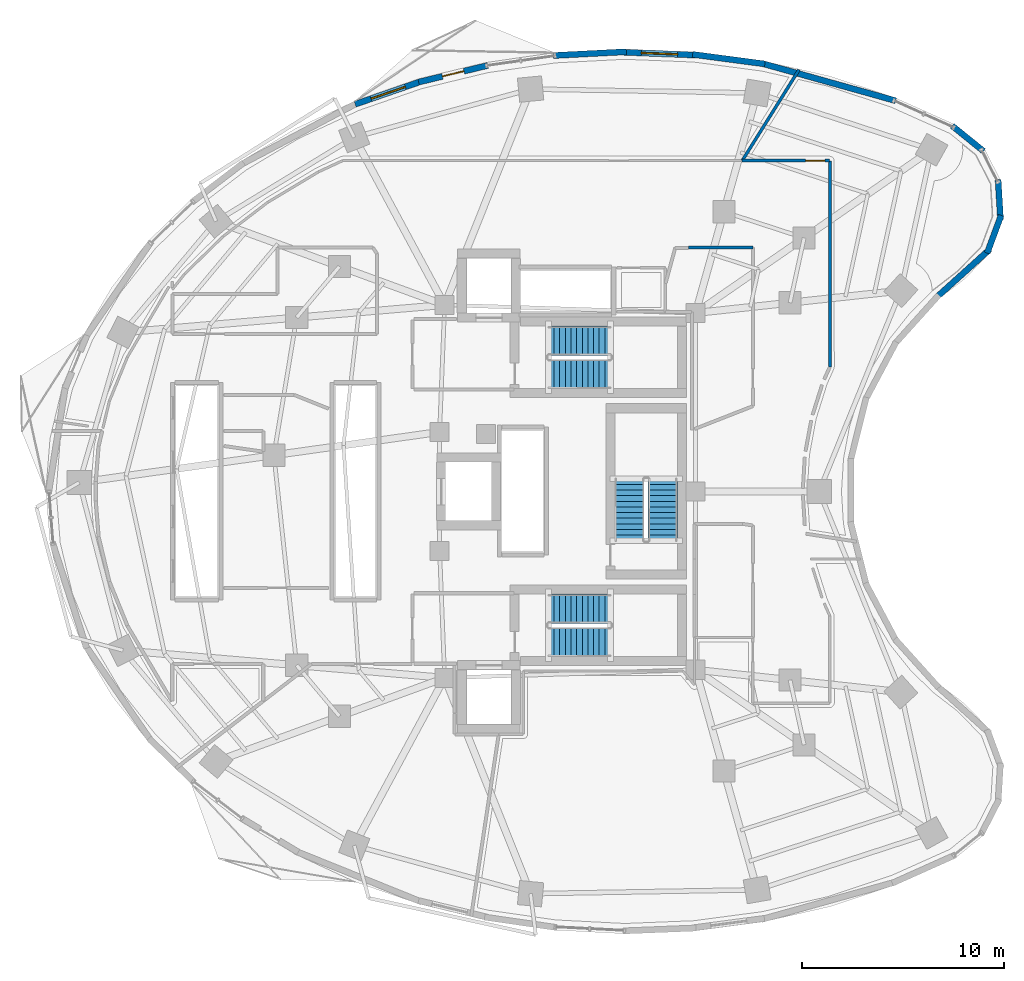
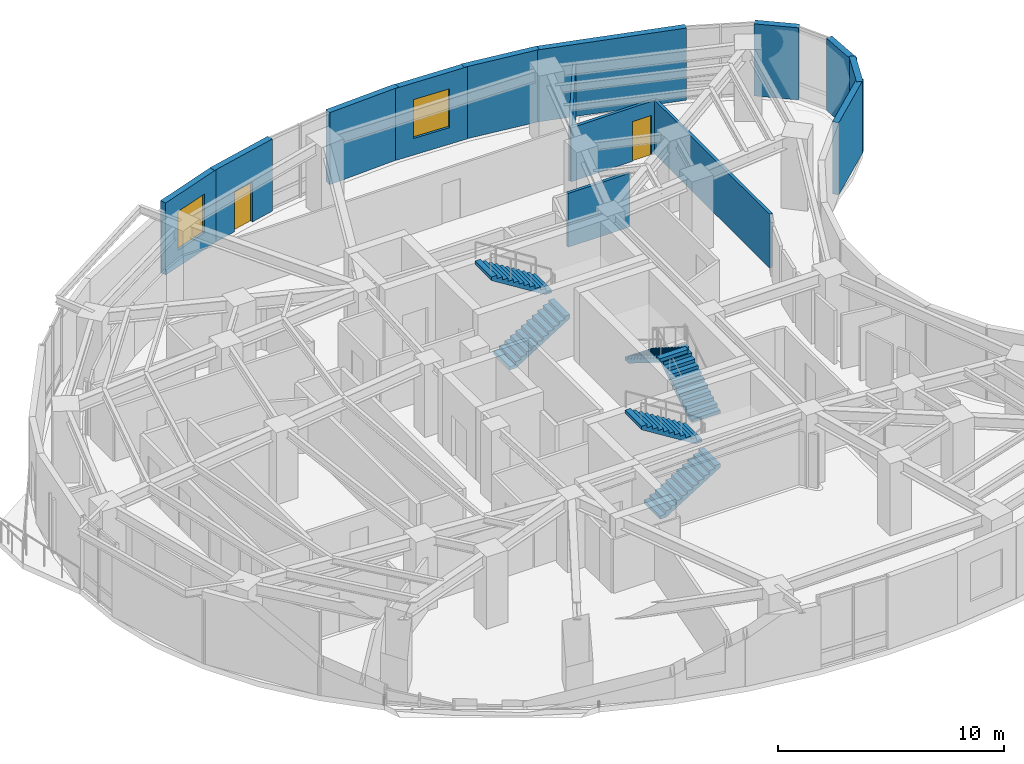
# One storey, part 11 of 14: 14 walls, 6 stair flights, 2 doors, 2 windows, 4 openings, 3 elements without a shape of their own.
"""IFC4 building model written with IfcOpenShell, lengths in metres."""

import ifcopenshell
import ifcopenshell.guid

model = None  # the IFC model being written
_history = None  # IfcOwnerHistory: only IFC2X3 demands one
_inside = {}  # id of a spatial element -> (the spatial element, [elements in it])
_under = {}  # id of a project, library or spatial element -> (it, [spatial elements below it])
_declared = {}  # id of a project -> (the project, [libraries it declares])
_typed = {}  # id of a type object -> (the type object, [elements of that type])
_made_of = {}  # id of a material, layer set ... -> (it, [elements and type objects made of it])


def new_model(schema):
    """Start an empty IFC model of exactly this schema.

    Asked for "IFC4X3", IfcOpenShell would pick the latest addendum, in which some entities
    have other attributes; the version numbers below select the first issue.
    IFC2X3 requires an IfcOwnerHistory on every rooted entity: one is made here for all.
    """
    global model, _history
    if schema == "IFC4X3":
        model = ifcopenshell.file(schema_version=(4, 3, 0, 0))
    else:
        model = ifcopenshell.file(schema=schema)
    _inside.clear()
    _under.clear()
    _declared.clear()
    _typed.clear()
    _made_of.clear()
    _history = None
    if model.schema == "IFC2X3":
        org = make("IfcOrganization", Name="unknown")
        user = make(
            "IfcPersonAndOrganization",
            ThePerson=make("IfcPerson", FamilyName="unknown"),
            TheOrganization=org,
        )
        app = make(
            "IfcApplication",
            ApplicationDeveloper=org,
            Version="unknown",
            ApplicationFullName="unknown",
            ApplicationIdentifier="unknown",
        )
        _history = make(
            "IfcOwnerHistory",
            OwningUser=user,
            OwningApplication=app,
            ChangeAction="ADDED",
            CreationDate=0,
        )
    return model


def make(cls, **values):
    """One entity of the class cls with the attributes given. An attribute that is None is left unset."""
    return model.create_entity(
        cls, **{name: value for name, value in values.items() if value is not None}
    )


def rooted(cls, **values):
    """An entity with a GlobalId (a new one), such as an element, a storey or a relation."""
    return make(cls, GlobalId=ifcopenshell.guid.new(), OwnerHistory=_history, **values)


def si_unit(unit_type, name, prefix=None):
    """IfcSIUnit, for example si_unit("LENGTHUNIT", "METRE", prefix="MILLI")."""
    return make("IfcSIUnit", UnitType=unit_type, Prefix=prefix, Name=name)


def assignment(units):
    """IfcUnitAssignment: the units of a project."""
    return None if units is None else make("IfcUnitAssignment", Units=units)


def point(xyz):
    """IfcCartesianPoint."""
    return None if xyz is None else make("IfcCartesianPoint", Coordinates=xyz)


def direction(xyz):
    """IfcDirection."""
    return None if xyz is None else make("IfcDirection", DirectionRatios=xyz)


def frame(location, z_axis=None, x_axis=None):
    """IfcAxis2Placement3D, a coordinate frame: its origin and axes. An axis left out is left unset."""
    return make(
        "IfcAxis2Placement3D",
        Location=point(location),
        Axis=direction(z_axis),
        RefDirection=direction(x_axis),
    )


def frame_2d(location, x_axis=None):
    """IfcAxis2Placement2D, a coordinate frame in the plane: its origin and x axis."""
    return make(
        "IfcAxis2Placement2D", Location=point(location), RefDirection=direction(x_axis)
    )


def origin():
    """The frame at (0, 0, 0) with its axes left unset."""
    return frame((0.0, 0.0, 0.0))


def place(relative_to, where):
    """IfcLocalPlacement: puts the frame where relative to a parent placement (None: the world)."""
    return make(
        "IfcLocalPlacement", PlacementRelTo=relative_to, RelativePlacement=where
    )


def context(
    kind, dimensions, precision=None, world=None, true_north=None, identifier=None
):
    """IfcGeometricRepresentationContext, for example the 3D "Model" context."""
    return make(
        "IfcGeometricRepresentationContext",
        ContextIdentifier=identifier,
        ContextType=kind,
        CoordinateSpaceDimension=dimensions,
        Precision=precision,
        WorldCoordinateSystem=world,
        TrueNorth=true_north,
    )


def subcontext(parent, identifier, kind, view, scale=None):
    """IfcGeometricRepresentationSubContext, for example "Body" below "Model"."""
    return make(
        "IfcGeometricRepresentationSubContext",
        ContextIdentifier=identifier,
        ContextType=kind,
        ParentContext=parent,
        TargetScale=scale,
        TargetView=view,
    )


def project(units=None, contexts=None):
    """IfcProject with its units and contexts."""
    return rooted(
        "IfcProject",
        Name="project",
        RepresentationContexts=contexts,
        UnitsInContext=assignment(units),
    )


def spatial(cls, under=None, at=None, **own):
    """A site, building, storey or space (cls), placed at a placement, below another one or the project."""
    s = rooted(cls, ObjectPlacement=at, **own)
    if under is not None:
        _under.setdefault(under.id(), (under, []))[1].append(s)
    return s


def polyline(points):
    """IfcPolyline through the points."""
    return make("IfcPolyline", Points=[point(p) for p in points])


def profile(cls, at=None, kind="AREA", **sizes):
    """A parametric profile (cls). Its sizes go by their IFC names, for example OverallWidth=200.0."""
    return make(cls, ProfileType=kind, Position=at, **sizes)


def rectangle(**sizes):
    """IfcRectangleProfileDef."""
    return profile("IfcRectangleProfileDef", **sizes)


def outline(outer, holes=None, kind="AREA"):
    """IfcArbitraryClosedProfileDef: a profile drawn as a closed curve; with holes, ...WithVoids."""
    if holes is None:
        return make("IfcArbitraryClosedProfileDef", ProfileType=kind, OuterCurve=outer)
    return make(
        "IfcArbitraryProfileDefWithVoids",
        ProfileType=kind,
        OuterCurve=outer,
        InnerCurves=holes,
    )


def extrude(swept, where, along, depth):
    """IfcExtrudedAreaSolid: the profile swept, set in the frame where, extruded along a direction by depth."""
    return make(
        "IfcExtrudedAreaSolid",
        SweptArea=swept,
        Position=where,
        ExtrudedDirection=direction(along),
        Depth=depth,
    )


def shape(context_of_items, identifier, shape_type, items):
    """IfcShapeRepresentation: the items that make up one representation, for example the "Body"."""
    return make(
        "IfcShapeRepresentation",
        ContextOfItems=context_of_items,
        RepresentationIdentifier=identifier,
        RepresentationType=shape_type,
        Items=items,
    )


def material(Name=None, Category=None):
    """IfcMaterial."""
    return make("IfcMaterial", Name=Name, Category=Category)


def layer(
    of_material, thickness, ventilated=None, Name=None, Category=None, Priority=None
):
    """IfcMaterialLayer: one layer of a wall or slab, of a material (None: an air gap)."""
    return make(
        "IfcMaterialLayer",
        Material=of_material,
        LayerThickness=thickness,
        IsVentilated=ventilated,
        Name=Name,
        Category=Category,
        Priority=Priority,
    )


def layer_set(layers, Name=None):
    """IfcMaterialLayerSet."""
    return make("IfcMaterialLayerSet", MaterialLayers=layers, LayerSetName=Name)


def made_of(thing, what):
    """Note that an element or type object is made of a material, layer set ...; save() writes the relation."""
    if what is not None:
        _made_of.setdefault(what.id(), (what, []))[1].append(thing)
    return thing


def type_object(cls, material=None, **own):
    """A type object (cls), such as IfcWallType, which elements share."""
    return made_of(rooted(cls, **own), material)


def element(
    cls,
    number,
    at=None,
    inside=None,
    cuts=None,
    type_object=None,
    material=None,
    context=None,
    identifier="Body",
    shape_type=None,
    held_by="IfcProductDefinitionShape",
    body=None,
    shapes=None,
    **own,
):
    """One element of the class cls, such as IfcWall. Its Tag is "e" and its number.

    at: its placement. inside: the storey or other place that contains it. cuts: it is an
    opening in that element (IfcRelVoidsElement). A single representation is given by context,
    identifier, shape_type and body (its items); several are given by shapes. held_by: the class
    of the entity that holds the representations. save() writes the other relations.
    """
    e = rooted(cls, Tag="e%d" % number, ObjectPlacement=at, **own)
    if body is not None:
        shapes = [shape(context, identifier, shape_type, body)]
    if shapes is not None:
        e.Representation = make(held_by, Representations=shapes)
    if inside is not None:
        _inside.setdefault(inside.id(), (inside, []))[1].append(e)
    if cuts is not None:
        rooted(
            "IfcRelVoidsElement", RelatingBuildingElement=cuts, RelatedOpeningElement=e
        )
    if type_object is not None:
        _typed.setdefault(type_object.id(), (type_object, []))[1].append(e)
    return made_of(e, material)


def fill(opening, filler):
    """IfcRelFillsElement: the door or window that sits in an opening."""
    return rooted(
        "IfcRelFillsElement",
        RelatingOpeningElement=opening,
        RelatedBuildingElement=filler,
    )


def aggregate(whole, parts):
    """IfcRelAggregates: a whole, such as a stair, and the parts it consists of."""
    return rooted("IfcRelAggregates", RelatingObject=whole, RelatedObjects=parts)


def save(model, path):
    """Write the relations noted so far, then the file.

    IfcRelAggregates (storeys below a building ...), IfcRelContainedInSpatialStructure (elements
    in a storey), IfcRelDefinesByType, IfcRelAssociatesMaterial and IfcRelDeclares: one each for
    every whole, place, type object, material and project.
    """
    for whole, parts in _under.values():
        aggregate(whole, parts)
    for where, things in _inside.values():
        rooted(
            "IfcRelContainedInSpatialStructure",
            RelatedElements=things,
            RelatingStructure=where,
        )
    for kind, things in _typed.values():
        rooted("IfcRelDefinesByType", RelatedObjects=things, RelatingType=kind)
    for what, things in _made_of.values():
        rooted("IfcRelAssociatesMaterial", RelatedObjects=things, RelatingMaterial=what)
    for by, libraries in _declared.values():
        rooted("IfcRelDeclares", RelatingContext=by, RelatedDefinitions=libraries)
    model.write(path)


model = new_model("IFC4")

# Units and contexts
model_context = context("Model", 3, precision=1e-05, world=origin(), true_north=direction((0.0, 1.0)))
body_context = subcontext(model_context, "Body", "Model", "MODEL_VIEW")
ifc_project = project(units=[si_unit("LENGTHUNIT", "METRE"), si_unit("AREAUNIT", "SQUARE_METRE"), si_unit("VOLUMEUNIT", "CUBIC_METRE"), si_unit("PLANEANGLEUNIT", "RADIAN"), si_unit("MASSUNIT", "GRAM", prefix="KILO")], contexts=[model_context])

# Site, building, storey
site_placement = place(None, origin())
site = spatial("IfcSite", under=ifc_project, at=site_placement, CompositionType="ELEMENT")
building_placement = place(site_placement, origin())
building = spatial("IfcBuilding", under=site, at=building_placement, Name="Korentha Bioscience Tower", CompositionType="ELEMENT")
storey_placement = place(building_placement, frame((0.0, 0.0, 119.39990234375)))
storey = spatial("IfcBuildingStorey", under=building, at=storey_placement, Name="L27", CompositionType="ELEMENT", Elevation=119.39990234375)

# Wall, opening, door
ifc_material_1 = material(Name="Double-Stud Acoustic Gypsum", Category="gypsum")
ifc_layer_1 = layer(ifc_material_1, 0.14990234375, Name="Double-Stud Acoustic Gypsum")
ifc_layer_set_1 = layer_set([ifc_layer_1], Name="Double-Stud Acoustic Gypsum (IW-L150)")
wall_type_1 = type_object("IfcWallType", Name="Acoustic Laboratory Partition Wall 150", PredefinedType="PARTITIONING", material=ifc_layer_set_1)
wall_1_placement = place(storey_placement, frame((44.199951171875, 43.409912109375, 0.0), z_axis=(0.0, 0.0, 1.0), x_axis=(-1.0, 0.0, 0.0)))
wall_1 = element("IfcWall", 1, at=wall_1_placement, inside=storey, type_object=wall_type_1, Name="L27 Incubator and Bioreactor Suite 06 Entrance Wall", PredefinedType="PARTITIONING", context=body_context, shape_type="SweptSolid", body=[
    extrude(rectangle(XDim=4.335693359375, YDim=0.14990234375, at=frame_2d((2.16796875, 0.0))), origin(), (0.0, 0.0, 1.0), 2.91015625),
])
opening_1_placement = place(wall_1_placement, frame((0.239990234375, 0.0, 0.0)))
opening_1 = element("IfcOpeningElement", 2, at=opening_1_placement, cuts=wall_1, Name="Opening ID-10R", PredefinedType="OPENING", context=body_context, shape_type="SweptSolid", body=[
    extrude(rectangle(XDim=0.949951171875, YDim=2.14990234375, at=frame_2d((0.47509765625, 1.074951171875))), frame((0.0, 0.08984375, 0.0), z_axis=(0.0, -1.0, 0.0), x_axis=(1.0, 0.0, 0.0)), (0.0, 0.0, 1.0), 0.1796875),
])
ifc_material_2 = material(Name="Phenolic Laminate Timber Core", Category="wood")
door_type_1 = type_object("IfcDoorType", Name="Laboratory Single Leaf Door 950x2150 Right", OperationType="SINGLE_SWING_RIGHT", PredefinedType="DOOR", material=ifc_material_2)
door_1_placement = place(opening_1_placement, origin())
door_1 = element("IfcDoor", 3, at=door_1_placement, inside=storey, type_object=door_type_1, Name="L27 Incubator and Bioreactor Suite 06 Door", OperationType="SINGLE_SWING_RIGHT", OverallHeight=2.14990234375, OverallWidth=0.949951171875, PredefinedType="DOOR", context=body_context, shape_type="SweptSolid", body=[
    extrude(rectangle(XDim=0.949951171875, YDim=2.14990234375, at=frame_2d((0.47509765625, 1.074951171875))), frame((0.0, 0.02490234375, 0.0), z_axis=(0.0, -1.0, 0.0), x_axis=(1.0, 0.0, 0.0)), (0.0, 0.0, 1.0), 0.050048828125),
])
fill(opening_1, door_1)

# Walls
wall_2_placement = place(storey_placement, frame((44.2099609375, 33.175048828125, 0.0), z_axis=(0.0, 0.0, 1.0), x_axis=(0.0, 1.0, 0.0)))
element("IfcWall", 4, at=wall_2_placement, inside=storey, type_object=wall_type_1, Name="L27 Interior Partition 056", PredefinedType="PARTITIONING", context=body_context, shape_type="SweptSolid", body=[
    extrude(rectangle(XDim=10.224853515625, YDim=0.14990234375, at=frame_2d((5.1123046875, 0.0))), origin(), (0.0, 0.0, 1.0), 2.91015625),
])
wall_3_placement = place(storey_placement, frame((39.8642578125, 43.409912109375, 0.0), z_axis=(0.0, 0.0, 1.0), x_axis=(0.529928772796, 0.848042154473, 0.0)))
element("IfcWall", 5, at=wall_3_placement, inside=storey, type_object=wall_type_1, Name="L27 Interior Partition 057", PredefinedType="PARTITIONING", context=body_context, shape_type="SweptSolid", body=[
    extrude(rectangle(XDim=5.31689453125, YDim=0.14990234375, at=frame_2d((2.658447265625, 0.0))), origin(), (0.0, 0.0, 1.0), 2.91015625),
])
wall_4_placement = place(storey_placement, frame((37.2099609375, 39.090087890625, 0.0), z_axis=(0.0, 0.0, 1.0), x_axis=(1.0, 0.0, 0.0)))
element("IfcWall", 6, at=wall_4_placement, inside=storey, type_object=wall_type_1, Name="L27 Interior Partition 060", PredefinedType="PARTITIONING", context=body_context, shape_type="SweptSolid", body=[
    extrude(rectangle(XDim=3.179931640625, YDim=0.14990234375, at=frame_2d((1.58984375, 0.0))), origin(), (0.0, 0.0, 1.0), 2.91015625),
])

# Wall, opening, window
ifc_material_3 = material(Name="Honed Limestone Precast Concrete C40", Category="masonry")
ifc_layer_2 = layer(ifc_material_3, 0.300048828125, Name="Honed Limestone Precast Concrete C40")
ifc_layer_set_2 = layer_set([ifc_layer_2], Name="Honed Limestone Precast Concrete C40 (EW-ST300)")
wall_type_2 = type_object("IfcWallType", Name="Honed Limestone Cavity Spandrel Wall 300", PredefinedType="STANDARD", material=ifc_layer_set_2)
wall_5_placement = place(storey_placement, frame((37.5537109375, 48.64697265625, 0.0), z_axis=(0.0, 0.0, 1.0), x_axis=(-0.999210691503, 0.039723972445, 0.0)))
wall_5 = element("IfcWall", 7, at=wall_5_placement, inside=storey, type_object=wall_type_2, Name="L27 Honed Limestone Spandrel Wall 05", PredefinedType="STANDARD", context=body_context, shape_type="SweptSolid", body=[
    extrude(rectangle(XDim=3.595458984375, YDim=0.300048828125, at=frame_2d((1.7978515625, 0.0))), origin(), (0.0, 0.0, 1.0), 3.900146484375),
])
opening_2_placement = place(wall_5_placement, frame((0.897705078125, 0.0, 0.89990234375)))
opening_2 = element("IfcOpeningElement", 8, at=opening_2_placement, cuts=wall_5, Name="Opening WN-01", PredefinedType="OPENING", context=body_context, shape_type="SweptSolid", body=[
    extrude(rectangle(XDim=1.800048828125, YDim=2.10009765625, at=frame_2d((0.89990234375, 1.050048828125))), frame((0.0, 0.1650390625, 0.0), z_axis=(0.0, -1.0, 0.0), x_axis=(1.0, 0.0, 0.0)), (0.0, 0.0, 1.0), 0.329833984375),
])
ifc_material_4 = material(Name="Thermally Broken Aluminium Triple Glazing", Category="aluminium")
window_type = type_object("IfcWindowType", Name="Triple-Glazed Fixed Bioscience Window 1800x2100", PartitioningType="SINGLE_PANEL", PredefinedType="WINDOW", material=ifc_material_4)
window_1_placement = place(opening_2_placement, origin())
window_1 = element("IfcWindow", 9, at=window_1_placement, inside=storey, type_object=window_type, Name="L27 Facade Window 05", OverallHeight=2.10009765625, OverallWidth=1.800048828125, PartitioningType="SINGLE_PANEL", PredefinedType="WINDOW", context=body_context, shape_type="SweptSolid", body=[
    extrude(rectangle(XDim=1.800048828125, YDim=2.10009765625, at=frame_2d((0.89990234375, 1.050048828125))), frame((0.0, 0.030029296875, 0.0), z_axis=(0.0, -1.0, 0.0), x_axis=(1.0, 0.0, 0.0)), (0.0, 0.0, 1.0), 0.06005859375),
])
fill(opening_2, window_1)

# Wall, opening, door
wall_6_placement = place(storey_placement, frame((27.23828125, 48.1337890625, 0.0), z_axis=(0.0, 0.0, 1.0), x_axis=(-0.972049000874, -0.234778065203, 0.0)))
wall_6 = element("IfcWall", 10, at=wall_6_placement, inside=storey, type_object=wall_type_2, Name="L27 Balcony Threshold Wall 01", PredefinedType="STANDARD", context=body_context, shape_type="SweptSolid", body=[
    extrude(rectangle(XDim=3.5283203125, YDim=0.300048828125, at=frame_2d((1.76416015625, 0.0))), origin(), (0.0, 0.0, 1.0), 3.900146484375),
])
opening_3_placement = place(wall_6_placement, frame((1.21435546875, 0.0, 0.0)))
opening_3 = element("IfcOpeningElement", 11, at=opening_3_placement, cuts=wall_6, Name="Opening BD-11L", PredefinedType="OPENING", context=body_context, shape_type="SweptSolid", body=[
    extrude(rectangle(XDim=1.10009765625, YDim=2.14990234375, at=frame_2d((0.550048828125, 1.074951171875))), frame((0.0, 0.1650390625, 0.0), z_axis=(0.0, -1.0, 0.0), x_axis=(1.0, 0.0, 0.0)), (0.0, 0.0, 1.0), 0.329833984375),
])
ifc_material_5 = material(Name="Thermally Broken Glazed Aluminium", Category="aluminium")
door_type_2 = type_object("IfcDoorType", Name="Balcony Terrace Glazed Door 1100x2150 Left", OperationType="SINGLE_SWING_LEFT", PredefinedType="DOOR", material=ifc_material_5)
door_2_placement = place(opening_3_placement, origin())
door_2 = element("IfcDoor", 12, at=door_2_placement, inside=storey, type_object=door_type_2, Name="L27 Balcony Access Door 01", OperationType="SINGLE_SWING_LEFT", OverallHeight=2.14990234375, OverallWidth=1.10009765625, PredefinedType="DOOR", context=body_context, shape_type="SweptSolid", body=[
    extrude(rectangle(XDim=1.10009765625, YDim=2.14990234375, at=frame_2d((0.550048828125, 1.074951171875))), frame((0.0, 0.02490234375, 0.0), z_axis=(0.0, -1.0, 0.0), x_axis=(1.0, 0.0, 0.0)), (0.0, 0.0, 1.0), 0.050048828125),
])
fill(opening_3, door_2)

# Wall, opening, window
wall_7_placement = place(storey_placement, frame((23.938232421875, 47.34326171875, 0.0), z_axis=(0.0, 0.0, 1.0), x_axis=(-0.944878029854, -0.3274225232, 0.0)))
wall_7 = element("IfcWall", 13, at=wall_7_placement, inside=storey, type_object=wall_type_2, Name="L27 Honed Limestone Spandrel Wall 09", PredefinedType="STANDARD", context=body_context, shape_type="SweptSolid", body=[
    extrude(rectangle(XDim=3.46728515625, YDim=0.300048828125, at=frame_2d((1.733642578125, 0.0))), origin(), (0.0, 0.0, 1.0), 3.900146484375),
])
opening_4_placement = place(wall_7_placement, frame((0.833740234375, 0.0, 0.89990234375)))
opening_4 = element("IfcOpeningElement", 14, at=opening_4_placement, cuts=wall_7, Name="Opening WN-01", PredefinedType="OPENING", context=body_context, shape_type="SweptSolid", body=[
    extrude(rectangle(XDim=1.800048828125, YDim=2.10009765625, at=frame_2d((0.89990234375, 1.050048828125))), frame((0.0, 0.1650390625, 0.0), z_axis=(0.0, -1.0, 0.0), x_axis=(1.0, 0.0, 0.0)), (0.0, 0.0, 1.0), 0.329833984375),
])
window_2_placement = place(opening_4_placement, origin())
window_2 = element("IfcWindow", 15, at=window_2_placement, inside=storey, type_object=window_type, Name="L27 Facade Window 09", OverallHeight=2.10009765625, OverallWidth=1.800048828125, PartitioningType="SINGLE_PANEL", PredefinedType="WINDOW", context=body_context, shape_type="SweptSolid", body=[
    extrude(rectangle(XDim=1.800048828125, YDim=2.10009765625, at=frame_2d((0.89990234375, 1.050048828125))), frame((0.0, 0.030029296875, 0.0), z_axis=(0.0, -1.0, 0.0), x_axis=(1.0, 0.0, 0.0)), (0.0, 0.0, 1.0), 0.06005859375),
])
fill(opening_4, window_2)

# Walls
wall_8_placement = place(storey_placement, frame((47.47900390625, 46.380126953125, 0.0), z_axis=(0.0, 0.0, 1.0), x_axis=(-0.963116215402, 0.269085777459, 0.0)))
element("IfcWall", 16, at=wall_8_placement, inside=storey, type_object=wall_type_2, Name="L27 Limestone Perimeter Closure Wall 02", PredefinedType="STANDARD", context=body_context, shape_type="SweptSolid", body=[
    extrude(rectangle(XDim=6.923583984375, YDim=0.300048828125, at=frame_2d((3.4619140625, 0.0))), origin(), (0.0, 0.0, 1.0), 3.900146484375),
])
wall_9_placement = place(storey_placement, frame((40.986572265625, 48.20703125, 0.0), z_axis=(0.0, 0.0, 1.0), x_axis=(-0.991372969521, 0.131071107816, 0.0)))
element("IfcWall", 17, at=wall_9_placement, inside=storey, type_object=wall_type_2, Name="L27 Limestone Perimeter Closure Wall 04", PredefinedType="STANDARD", context=body_context, shape_type="SweptSolid", body=[
    extrude(rectangle(XDim=3.615478515625, YDim=0.300048828125, at=frame_2d((1.8076171875, 0.0))), origin(), (0.0, 0.0, 1.0), 3.900146484375),
])
wall_10_placement = place(storey_placement, frame((34.114501953125, 48.8115234375, 0.0), z_axis=(0.0, 0.0, 1.0), x_axis=(-0.998674767218, -0.051465613004, 0.0)))
element("IfcWall", 18, at=wall_10_placement, inside=storey, type_object=wall_type_2, Name="L27 Limestone Perimeter Closure Wall 06", PredefinedType="STANDARD", context=body_context, shape_type="SweptSolid", body=[
    extrude(rectangle(XDim=3.6337890625, YDim=0.300048828125, at=frame_2d((1.81689453125, 0.0))), origin(), (0.0, 0.0, 1.0), 3.900146484375),
])
wall_11_placement = place(storey_placement, frame((49.51318359375, 36.6357421875, 0.0), z_axis=(0.0, 0.0, 1.0), x_axis=(0.74255963233, 0.669779958221, 0.0)))
element("IfcWall", 19, at=wall_11_placement, inside=storey, type_object=wall_type_2, Name="L27 Limestone Perimeter Closure Wall 57", PredefinedType="STANDARD", context=body_context, shape_type="SweptSolid", body=[
    extrude(rectangle(XDim=3.5390625, YDim=0.300048828125, at=frame_2d((1.76953125, 0.0))), origin(), (0.0, 0.0, 1.0), 3.900146484375),
])
wall_12_placement = place(storey_placement, frame((52.016357421875, 38.822265625, 0.0), z_axis=(0.0, 0.0, 1.0), x_axis=(0.347370087337, 0.937728117539, 0.0)))
element("IfcWall", 20, at=wall_12_placement, inside=storey, type_object=wall_type_2, Name="L27 Limestone Perimeter Closure Wall 59", PredefinedType="STANDARD", context=body_context, shape_type="SweptSolid", body=[
    extrude(rectangle(XDim=1.997314453125, YDim=0.300048828125, at=frame_2d((0.99853515625, 0.0))), origin(), (0.0, 0.0, 1.0), 3.900146484375),
])
for number, where, z_axis, x_axis, name in (
    (21, (52.678955078125, 40.4833984375, 0.0), (0.0, 0.0, 1.0), (-0.060255200356, 0.998183004679, 0.0), "L27 Limestone Perimeter Closure Wall 60"),
    (22, (51.83642578125, 43.880615234375, 0.0), (0.0, 0.0, 1.0), (-0.777338789647, 0.629082193445, 0.0), "L27 Limestone Perimeter Closure Wall 62"),
):
    element("IfcWall", number, at=place(storey_placement, frame(where, z_axis=z_axis, x_axis=x_axis)), inside=storey, type_object=wall_type_2, Name=name, PredefinedType="STANDARD", context=body_context, shape_type="SweptSolid", body=[
        extrude(rectangle(XDim=1.99755859375, YDim=0.300048828125, at=frame_2d((0.998779296875, 0.0))), origin(), (0.0, 0.0, 1.0), 3.900146484375),
    ])

# Stair, stair flights
ifc_material_6 = material(Name="Precast Concrete C50", Category="concrete")
stair_type = type_object("IfcStairType", Name="Core Exit Dog-Leg Stair 1450", PredefinedType="HALF_TURN_STAIR", material=ifc_material_6)
stair_1_placement = place(storey_placement, origin())
stair_1 = element("IfcStair", 23, at=stair_1_placement, inside=storey, type_object=stair_type, Name="L27 Tower North Pressurized Exit Stair ST-1", PredefinedType="HALF_TURN_STAIR")
stair_flight_type = type_object("IfcStairFlightType", Name="Core Exit Dog-Leg Stair 1450 Flight", PredefinedType="STRAIGHT", material=ifc_material_6)
stair_flight_1_placement = place(storey_placement, frame((30.25, 32.824951171875, 0.0), z_axis=(0.0, 0.0, 1.0), x_axis=(1.0, 0.0, 0.0)))
stair_flight_1 = element("IfcStairFlight", 24, at=stair_flight_1_placement, type_object=stair_flight_type, Name="ST-1 flight 1", NumberOfRisers=12, NumberOfTreads=11, PredefinedType="STRAIGHT", RiserHeight=0.175, TreadLength=0.28, context=body_context, shape_type="SweptSolid", body=[
    extrude(outline(polyline([(0.0, 0.0), (0.0, 0.175048828125), (0.280029296875, 0.175048828125), (0.280029296875, 0.35009765625), (0.56005859375, 0.35009765625), (0.56005859375, 0.52490234375), (0.840087890625, 0.52490234375), (0.840087890625, 0.699951171875), (1.1201171875, 0.699951171875), (1.1201171875, 0.875), (1.39990234375, 0.875), (1.39990234375, 1.050048828125), (1.679931640625, 1.050048828125), (1.679931640625, 1.22509765625), (1.9599609375, 1.22509765625), (1.9599609375, 1.39990234375), (2.239990234375, 1.39990234375), (2.239990234375, 1.574951171875), (2.52001953125, 1.574951171875), (2.52001953125, 1.75), (2.800048828125, 1.75), (2.800048828125, 1.925048828125), (3.080078125, 1.925048828125), (3.080078125, 2.10009765625), (3.080078125, 1.736328125), (0.3017578125, 0.0), (0.0, 0.0)])), frame((0.0, 0.72509765625, 0.0), z_axis=(0.0, -1.0, 0.0), x_axis=(1.0, 0.0, 0.0)), (0.0, 0.0, 1.0), 1.449951171875),
])
stair_flight_2_placement = place(storey_placement, frame((33.330078125, 34.47509765625, 2.10009765625), z_axis=(0.0, 0.0, 1.0), x_axis=(-1.0, 0.0, 0.0)))
stair_flight_2 = element("IfcStairFlight", 25, at=stair_flight_2_placement, type_object=stair_flight_type, Name="ST-1 flight 2", NumberOfRisers=12, NumberOfTreads=11, PredefinedType="STRAIGHT", RiserHeight=0.175, TreadLength=0.28, context=body_context, shape_type="SweptSolid", body=[
    extrude(outline(polyline([(0.0, 0.0), (0.0, 0.175048828125), (0.280029296875, 0.175048828125), (0.280029296875, 0.35009765625), (0.56005859375, 0.35009765625), (0.56005859375, 0.52490234375), (0.840087890625, 0.52490234375), (0.840087890625, 0.699951171875), (1.1201171875, 0.699951171875), (1.1201171875, 0.875), (1.39990234375, 0.875), (1.39990234375, 1.050048828125), (1.679931640625, 1.050048828125), (1.679931640625, 1.22509765625), (1.9599609375, 1.22509765625), (1.9599609375, 1.39990234375), (2.239990234375, 1.39990234375), (2.239990234375, 1.574951171875), (2.52001953125, 1.574951171875), (2.52001953125, 1.75), (2.800048828125, 1.75), (2.800048828125, 1.925048828125), (3.080078125, 1.925048828125), (3.080078125, 2.10009765625), (3.080078125, 1.736328125), (0.3017578125, 0.0), (0.0, 0.0)])), frame((0.0, 0.72509765625, 0.0), z_axis=(0.0, -1.0, 0.0), x_axis=(1.0, 0.0, 0.0)), (0.0, 0.0, 1.0), 1.449951171875),
])
aggregate(stair_1, [stair_flight_1, stair_flight_2])

stair_2_placement = place(storey_placement, origin())
stair_2 = element("IfcStair", 26, at=stair_2_placement, inside=storey, type_object=stair_type, Name="L27 Tower South Pressurized Exit Stair ST-2", PredefinedType="HALF_TURN_STAIR")
stair_flight_3_placement = place(storey_placement, frame((30.25, 19.52490234375, 0.0), z_axis=(0.0, 0.0, 1.0), x_axis=(1.0, 0.0, 0.0)))
stair_flight_3 = element("IfcStairFlight", 27, at=stair_flight_3_placement, type_object=stair_flight_type, Name="ST-2 flight 1", NumberOfRisers=12, NumberOfTreads=11, PredefinedType="STRAIGHT", RiserHeight=0.175, TreadLength=0.28, context=body_context, shape_type="SweptSolid", body=[
    extrude(outline(polyline([(0.0, 0.0), (0.0, 0.175048828125), (0.280029296875, 0.175048828125), (0.280029296875, 0.35009765625), (0.56005859375, 0.35009765625), (0.56005859375, 0.52490234375), (0.840087890625, 0.52490234375), (0.840087890625, 0.699951171875), (1.1201171875, 0.699951171875), (1.1201171875, 0.875), (1.39990234375, 0.875), (1.39990234375, 1.050048828125), (1.679931640625, 1.050048828125), (1.679931640625, 1.22509765625), (1.9599609375, 1.22509765625), (1.9599609375, 1.39990234375), (2.239990234375, 1.39990234375), (2.239990234375, 1.574951171875), (2.52001953125, 1.574951171875), (2.52001953125, 1.75), (2.800048828125, 1.75), (2.800048828125, 1.925048828125), (3.080078125, 1.925048828125), (3.080078125, 2.10009765625), (3.080078125, 1.736328125), (0.3017578125, 0.0), (0.0, 0.0)])), frame((0.0, 0.72509765625, 0.0), z_axis=(0.0, -1.0, 0.0), x_axis=(1.0, 0.0, 0.0)), (0.0, 0.0, 1.0), 1.449951171875),
])
stair_flight_4_placement = place(storey_placement, frame((33.330078125, 21.175048828125, 2.10009765625), z_axis=(0.0, 0.0, 1.0), x_axis=(-1.0, 0.0, 0.0)))
stair_flight_4 = element("IfcStairFlight", 28, at=stair_flight_4_placement, type_object=stair_flight_type, Name="ST-2 flight 2", NumberOfRisers=12, NumberOfTreads=11, PredefinedType="STRAIGHT", RiserHeight=0.175, TreadLength=0.28, context=body_context, shape_type="SweptSolid", body=[
    extrude(outline(polyline([(0.0, 0.0), (0.0, 0.175048828125), (0.280029296875, 0.175048828125), (0.280029296875, 0.35009765625), (0.56005859375, 0.35009765625), (0.56005859375, 0.52490234375), (0.840087890625, 0.52490234375), (0.840087890625, 0.699951171875), (1.1201171875, 0.699951171875), (1.1201171875, 0.875), (1.39990234375, 0.875), (1.39990234375, 1.050048828125), (1.679931640625, 1.050048828125), (1.679931640625, 1.22509765625), (1.9599609375, 1.22509765625), (1.9599609375, 1.39990234375), (2.239990234375, 1.39990234375), (2.239990234375, 1.574951171875), (2.52001953125, 1.574951171875), (2.52001953125, 1.75), (2.800048828125, 1.75), (2.800048828125, 1.925048828125), (3.080078125, 1.925048828125), (3.080078125, 2.10009765625), (3.080078125, 1.736328125), (0.3017578125, 0.0), (0.0, 0.0)])), frame((0.0, 0.72509765625, 0.0), z_axis=(0.0, -1.0, 0.0), x_axis=(1.0, 0.0, 0.0)), (0.0, 0.0, 1.0), 1.449951171875),
])
aggregate(stair_2, [stair_flight_3, stair_flight_4])

stair_3_placement = place(storey_placement, origin())
stair_3 = element("IfcStair", 29, at=stair_3_placement, inside=storey, type_object=stair_type, Name="L27 Tower Central Pressurized Exit Stair ST-3", PredefinedType="HALF_TURN_STAIR")
stair_flight_5_placement = place(storey_placement, frame((35.925048828125, 24.550048828125, 0.0), z_axis=(0.0, 0.0, 1.0), x_axis=(0.0, 1.0, 0.0)))
stair_flight_5 = element("IfcStairFlight", 30, at=stair_flight_5_placement, type_object=stair_flight_type, Name="ST-3 flight 1", NumberOfRisers=12, NumberOfTreads=11, PredefinedType="STRAIGHT", RiserHeight=0.175, TreadLength=0.28, context=body_context, shape_type="SweptSolid", body=[
    extrude(outline(polyline([(0.0, 0.0), (0.0, 0.175048828125), (0.280029296875, 0.175048828125), (0.280029296875, 0.35009765625), (0.56005859375, 0.35009765625), (0.56005859375, 0.52490234375), (0.840087890625, 0.52490234375), (0.840087890625, 0.699951171875), (1.1201171875, 0.699951171875), (1.1201171875, 0.875), (1.39990234375, 0.875), (1.39990234375, 1.050048828125), (1.679931640625, 1.050048828125), (1.679931640625, 1.22509765625), (1.9599609375, 1.22509765625), (1.9599609375, 1.39990234375), (2.239990234375, 1.39990234375), (2.239990234375, 1.574951171875), (2.52001953125, 1.574951171875), (2.52001953125, 1.75), (2.800048828125, 1.75), (2.800048828125, 1.925048828125), (3.080078125, 1.925048828125), (3.080078125, 2.10009765625), (3.080078125, 1.736328125), (0.3017578125, 0.0), (0.0, 0.0)])), frame((0.0, 0.72509765625, 0.0), z_axis=(0.0, -1.0, 0.0), x_axis=(1.0, 0.0, 0.0)), (0.0, 0.0, 1.0), 1.449951171875),
])
stair_flight_6_placement = place(storey_placement, frame((34.27490234375, 27.6298828125, 2.10009765625), z_axis=(0.0, 0.0, 1.0), x_axis=(0.0, -1.0, 0.0)))
stair_flight_6 = element("IfcStairFlight", 31, at=stair_flight_6_placement, type_object=stair_flight_type, Name="ST-3 flight 2", NumberOfRisers=12, NumberOfTreads=11, PredefinedType="STRAIGHT", RiserHeight=0.175, TreadLength=0.28, context=body_context, shape_type="SweptSolid", body=[
    extrude(outline(polyline([(0.0, 0.0), (0.0, 0.175048828125), (0.280029296875, 0.175048828125), (0.280029296875, 0.35009765625), (0.56005859375, 0.35009765625), (0.56005859375, 0.52490234375), (0.840087890625, 0.52490234375), (0.840087890625, 0.699951171875), (1.1201171875, 0.699951171875), (1.1201171875, 0.875), (1.39990234375, 0.875), (1.39990234375, 1.050048828125), (1.679931640625, 1.050048828125), (1.679931640625, 1.22509765625), (1.9599609375, 1.22509765625), (1.9599609375, 1.39990234375), (2.239990234375, 1.39990234375), (2.239990234375, 1.574951171875), (2.52001953125, 1.574951171875), (2.52001953125, 1.75), (2.800048828125, 1.75), (2.800048828125, 1.925048828125), (3.080078125, 1.925048828125), (3.080078125, 2.10009765625), (3.080078125, 1.736328125), (0.3017578125, 0.0), (0.0, 0.0)])), frame((0.0, 0.72509765625, 0.0), z_axis=(0.0, -1.0, 0.0), x_axis=(1.0, 0.0, 0.0)), (0.0, 0.0, 1.0), 1.449951171875),
])
aggregate(stair_3, [stair_flight_5, stair_flight_6])

save(model, "model.ifc")
